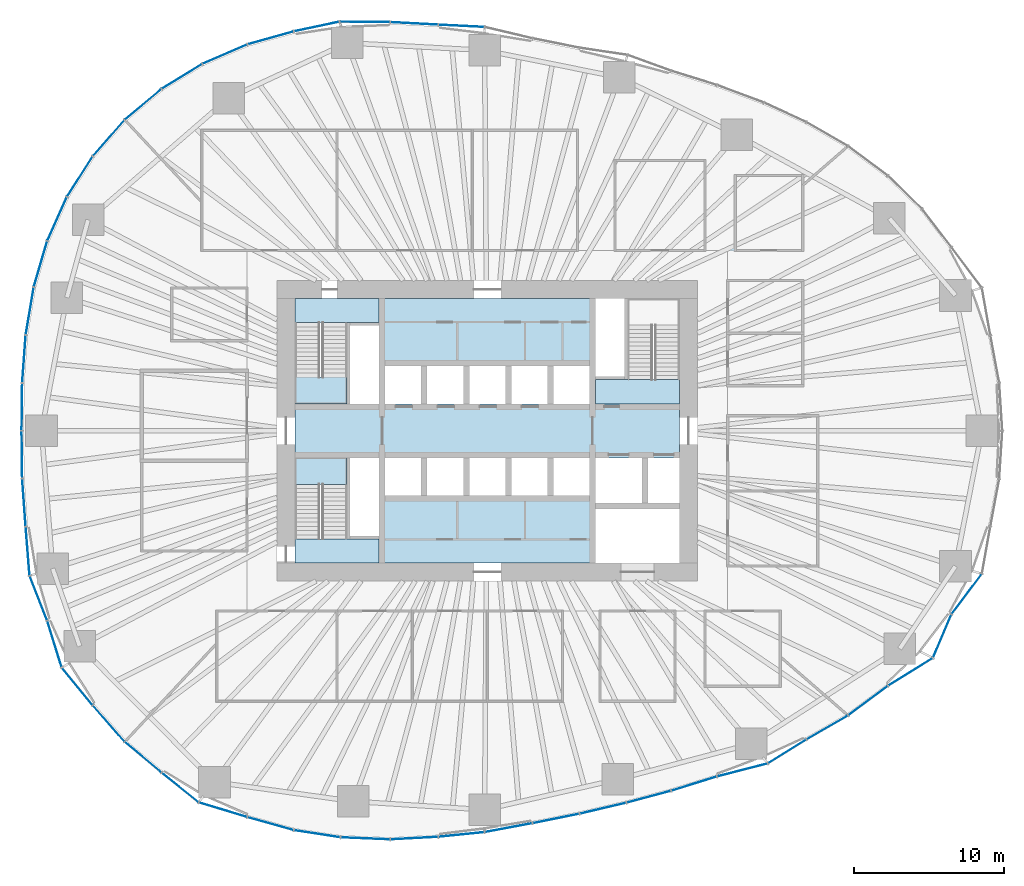
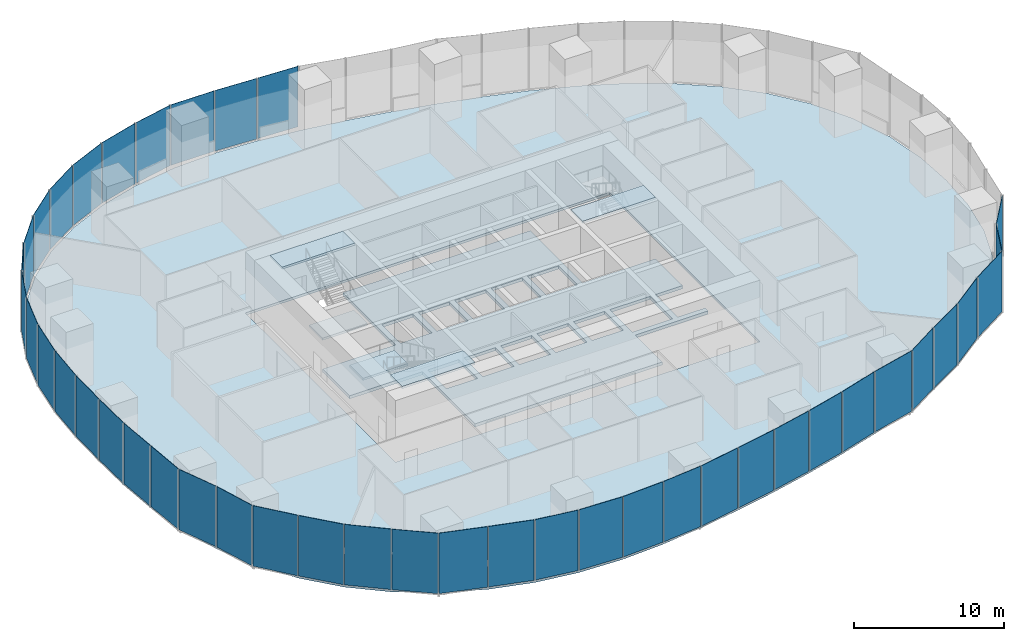
# One storey, part 8 of 20: 42 plates, 7 slabs, 17 elements without a shape of their own.
"""IFC4 building model written with IfcOpenShell, lengths in metres."""

from ifc_helpers import new_model, si_unit, direction, frame, origin, origin_2d, place, context, subcontext, project, spatial, polyline, rectangle, outline, extrude, material, layer, layer_set, type_object, element, aggregate, save


model = new_model("IFC4")

# Units and contexts
model_context = context("Model", 3, precision=1e-05, world=origin(), true_north=direction((0.0, 1.0)))
body_context = subcontext(model_context, "Body", "Model", "MODEL_VIEW")
ifc_project = project(units=[si_unit("LENGTHUNIT", "METRE"), si_unit("AREAUNIT", "SQUARE_METRE"), si_unit("VOLUMEUNIT", "CUBIC_METRE"), si_unit("PLANEANGLEUNIT", "RADIAN"), si_unit("MASSUNIT", "GRAM", prefix="KILO")], contexts=[model_context])

# Site, building, storey
site_placement = place(None, origin())
site = spatial("IfcSite", under=ifc_project, at=site_placement, CompositionType="ELEMENT")
building_placement = place(site_placement, origin())
building = spatial("IfcBuilding", under=site, at=building_placement, Name="Ghaith Harvest Tower", CompositionType="ELEMENT")
storey_placement = place(building_placement, frame((0.0, 0.0, 20.0)))
storey = spatial("IfcBuildingStorey", under=building, at=storey_placement, Name="L04", CompositionType="ELEMENT", Elevation=20.0)

# Curtain wall, plates
ifc_material_1 = material(Name="Black anodised aluminium and fritted glass", Category="aluminium")
curtain_wall_type = type_object("IfcCurtainWallType", Name="CW-F CURTAIN WALL", PredefinedType="NOTDEFINED", material=ifc_material_1)
curtain_wall_1_placement = place(storey_placement, origin())
curtain_wall_1 = element("IfcCurtainWall", 1, at=curtain_wall_1_placement, inside=storey, type_object=curtain_wall_type, Name="Curtain wall CW-F bay 06 L04", PredefinedType="NOTDEFINED")
ifc_material_2 = material(Name="Glass, high-transmission fritted double glazed unit", Category="glass")
ifc_layer_1 = layer(ifc_material_2, 0.028076171875)
ifc_layer_set_1 = layer_set([ifc_layer_1], Name="CW-F VISION PANEL")
plate_type = type_object("IfcPlateType", Name="CW-F VISION PANEL", PredefinedType="CURTAIN_PANEL", material=ifc_layer_set_1)
plate_1_placement = place(storey_placement, frame((-1.722900390625, 26.953369140625, 0.080078125), z_axis=(0.0, 0.0, 1.0), x_axis=(-0.998771443485, 0.049554048048, 0.0)))
plate_1 = element("IfcPlate", 2, at=plate_1_placement, type_object=plate_type, Name="CW-F panel 1 bay 06 L04", PredefinedType="CURTAIN_PANEL", context=body_context, shape_type="SweptSolid", body=[
    extrude(rectangle(XDim=3.001708984375, YDim=0.028076171875, at=origin_2d()), origin(), (0.0, 0.0, 1.0), 4.919921875),
])
plate_2_placement = place(storey_placement, frame((-4.863525390625, 27.11572265625, 0.080078125), z_axis=(0.0, 0.0, 1.0), x_axis=(-0.99856250263, 0.053599704667, 0.0)))
plate_2 = element("IfcPlate", 3, at=plate_2_placement, type_object=plate_type, Name="CW-F panel 2 bay 06 L04", PredefinedType="CURTAIN_PANEL", context=body_context, shape_type="SweptSolid", body=[
    extrude(rectangle(XDim=3.1279296875, YDim=0.028076171875, at=origin_2d()), origin(), (0.0, 0.0, 1.0), 4.919921875),
])
plate_3_placement = place(storey_placement, frame((-8.150390625, 27.217041015625, 0.080078125), z_axis=(0.0, 0.0, 1.0), x_axis=(-0.999959609481, 0.008987736446, 0.0)))
plate_3 = element("IfcPlate", 4, at=plate_3_placement, type_object=plate_type, Name="CW-F panel 3 bay 06 L04", PredefinedType="CURTAIN_PANEL", context=body_context, shape_type="SweptSolid", body=[
    extrude(rectangle(XDim=3.29052734375, YDim=0.028076171875, at=origin_2d()), origin(), (0.0, 0.0, 1.0), 4.919921875),
])
aggregate(curtain_wall_1, [plate_1, plate_2, plate_3])

curtain_wall_2_placement = place(storey_placement, origin())
curtain_wall_2 = element("IfcCurtainWall", 5, at=curtain_wall_2_placement, inside=storey, type_object=curtain_wall_type, Name="Curtain wall CW-F bay 07 L04", PredefinedType="NOTDEFINED")
plate_4_placement = place(storey_placement, frame((-11.358154296875, 26.908447265625, 0.080078125), z_axis=(0.0, 0.0, 1.0), x_axis=(-0.978149320779, -0.207903598476, 0.0)))
plate_4 = element("IfcPlate", 6, at=plate_4_placement, type_object=plate_type, Name="CW-F panel 1 bay 07 L04", PredefinedType="CURTAIN_PANEL", context=body_context, shape_type="SweptSolid", body=[
    extrude(rectangle(XDim=3.032958984375, YDim=0.028076171875, at=origin_2d()), origin(), (0.0, 0.0, 1.0), 4.919921875),
])
plate_5_placement = place(storey_placement, frame((-14.42578125, 26.150634765625, 0.080078125), z_axis=(0.0, 0.0, 1.0), x_axis=(-0.96272968243, -0.270465448012, 0.0)))
plate_5 = element("IfcPlate", 7, at=plate_5_placement, type_object=plate_type, Name="CW-F panel 2 bay 07 L04", PredefinedType="CURTAIN_PANEL", context=body_context, shape_type="SweptSolid", body=[
    extrude(rectangle(XDim=3.13037109375, YDim=0.028076171875, at=origin_2d()), origin(), (0.0, 0.0, 1.0), 4.919921875),
])
plate_6_placement = place(storey_placement, frame((-17.46923828125, 25.0693359375, 0.080078125), z_axis=(0.0, 0.0, 1.0), x_axis=(-0.918002845228, -0.396573796605, 0.0)))
plate_6 = element("IfcPlate", 8, at=plate_6_placement, type_object=plate_type, Name="CW-F panel 3 bay 07 L04", PredefinedType="CURTAIN_PANEL", context=body_context, shape_type="SweptSolid", body=[
    extrude(rectangle(XDim=3.18359375, YDim=0.028076171875, at=origin_2d()), origin(), (0.0, 0.0, 1.0), 4.919921875),
])
aggregate(curtain_wall_2, [plate_4, plate_5, plate_6])

curtain_wall_3_placement = place(storey_placement, origin())
curtain_wall_3 = element("IfcCurtainWall", 9, at=curtain_wall_3_placement, inside=storey, type_object=curtain_wall_type, Name="Curtain wall CW-F bay 08 L04", PredefinedType="NOTDEFINED")
plate_7_placement = place(storey_placement, frame((-20.324462890625, 23.590087890625, 0.080078125), z_axis=(0.0, 0.0, 1.0), x_axis=(-0.852527741552, -0.522681977769, 0.0)))
plate_7 = element("IfcPlate", 10, at=plate_7_placement, type_object=plate_type, Name="CW-F panel 1 bay 08 L04", PredefinedType="CURTAIN_PANEL", context=body_context, shape_type="SweptSolid", body=[
    extrude(rectangle(XDim=3.10400390625, YDim=0.028076171875, at=origin_2d()), origin(), (0.0, 0.0, 1.0), 4.919921875),
])
plate_8_placement = place(storey_placement, frame((-22.91064453125, 21.727294921875, 0.080078125), z_axis=(0.0, 0.0, 1.0), x_axis=(-0.766155215147, -0.642655573619, 0.0)))
plate_8 = element("IfcPlate", 11, at=plate_8_placement, type_object=plate_type, Name="CW-F panel 2 bay 08 L04", PredefinedType="CURTAIN_PANEL", context=body_context, shape_type="SweptSolid", body=[
    extrude(rectangle(XDim=3.1279296875, YDim=0.028076171875, at=origin_2d()), origin(), (0.0, 0.0, 1.0), 4.919921875),
])
plate_9_placement = place(storey_placement, frame((-25.201171875, 19.4853515625, 0.080078125), z_axis=(0.0, 0.0, 1.0), x_axis=(-0.659215937547, -0.751953687194, 0.0)))
plate_9 = element("IfcPlate", 12, at=plate_9_placement, type_object=plate_type, Name="CW-F panel 3 bay 08 L04", PredefinedType="CURTAIN_PANEL", context=body_context, shape_type="SweptSolid", body=[
    extrude(rectangle(XDim=3.1416015625, YDim=0.028076171875, at=origin_2d()), origin(), (0.0, 0.0, 1.0), 4.919921875),
])
aggregate(curtain_wall_3, [plate_7, plate_8, plate_9])

curtain_wall_4_placement = place(storey_placement, origin())
curtain_wall_4 = element("IfcCurtainWall", 13, at=curtain_wall_4_placement, inside=storey, type_object=curtain_wall_type, Name="Curtain wall CW-F bay 09 L04", PredefinedType="NOTDEFINED")
plate_10_placement = place(storey_placement, frame((-27.124755859375, 16.919677734375, 0.080078125), z_axis=(0.0, 0.0, 1.0), x_axis=(-0.536779195227, -0.843722759899, 0.0)))
plate_10 = element("IfcPlate", 14, at=plate_10_placement, type_object=plate_type, Name="CW-F panel 1 bay 09 L04", PredefinedType="CURTAIN_PANEL", context=body_context, shape_type="SweptSolid", body=[
    extrude(rectangle(XDim=3.13037109375, YDim=0.028076171875, at=origin_2d()), origin(), (0.0, 0.0, 1.0), 4.919921875),
])
plate_11_placement = place(storey_placement, frame((-28.639404296875, 14.100341796875, 0.080078125), z_axis=(0.0, 0.0, 1.0), x_axis=(-0.407134417018, -0.913368253488, 0.0)))
plate_11 = element("IfcPlate", 15, at=plate_11_placement, type_object=plate_type, Name="CW-F panel 2 bay 09 L04", PredefinedType="CURTAIN_PANEL", context=body_context, shape_type="SweptSolid", body=[
    extrude(rectangle(XDim=3.1279296875, YDim=0.028076171875, at=origin_2d()), origin(), (0.0, 0.0, 1.0), 4.919921875),
])
plate_12_placement = place(storey_placement, frame((-29.740478515625, 11.101318359375, 0.080078125), z_axis=(0.0, 0.0, 1.0), x_axis=(-0.280296918708, -0.959913348882, 0.0)))
plate_12 = element("IfcPlate", 16, at=plate_12_placement, type_object=plate_type, Name="CW-F panel 3 bay 09 L04", PredefinedType="CURTAIN_PANEL", context=body_context, shape_type="SweptSolid", body=[
    extrude(rectangle(XDim=3.1162109375, YDim=0.028076171875, at=origin_2d()), origin(), (0.0, 0.0, 1.0), 4.919921875),
])
aggregate(curtain_wall_4, [plate_10, plate_11, plate_12])

curtain_wall_5_placement = place(storey_placement, origin())
curtain_wall_5 = element("IfcCurtainWall", 17, at=curtain_wall_5_placement, inside=storey, type_object=curtain_wall_type, Name="Curtain wall CW-F bay 10 L04", PredefinedType="NOTDEFINED")
plate_13_placement = place(storey_placement, frame((-30.456298828125, 7.971435546875, 0.080078125), z_axis=(0.0, 0.0, 1.0), x_axis=(-0.165581316368, -0.986196140567, 0.0)))
plate_13 = element("IfcPlate", 18, at=plate_13_placement, type_object=plate_type, Name="CW-F panel 1 bay 10 L04", PredefinedType="CURTAIN_PANEL", context=body_context, shape_type="SweptSolid", body=[
    extrude(rectangle(XDim=3.156494140625, YDim=0.028076171875, at=origin_2d()), origin(), (0.0, 0.0, 1.0), 4.919921875),
])
plate_14_placement = place(storey_placement, frame((-30.84033203125, 4.77685546875, 0.080078125), z_axis=(0.0, 0.0, 1.0), x_axis=(-0.072420546123, -0.997374184797, 0.0)))
plate_14 = element("IfcPlate", 19, at=plate_14_placement, type_object=plate_type, Name="CW-F panel 2 bay 10 L04", PredefinedType="CURTAIN_PANEL", context=body_context, shape_type="SweptSolid", body=[
    extrude(rectangle(XDim=3.1259765625, YDim=0.028076171875, at=origin_2d()), origin(), (0.0, 0.0, 1.0), 4.919921875),
])
plate_15_placement = place(storey_placement, frame((-30.975830078125, 1.589111328125, 0.080078125), z_axis=(0.0, 0.0, 1.0), x_axis=(-0.012133206476, -0.999926389941, 0.0)))
plate_15 = element("IfcPlate", 20, at=plate_15_placement, type_object=plate_type, Name="CW-F panel 3 bay 10 L04", PredefinedType="CURTAIN_PANEL", context=body_context, shape_type="SweptSolid", body=[
    extrude(rectangle(XDim=3.09814453125, YDim=0.028076171875, at=origin_2d()), origin(), (0.0, 0.0, 1.0), 4.919921875),
])
aggregate(curtain_wall_5, [plate_13, plate_14, plate_15])

curtain_wall_6_placement = place(storey_placement, origin())
curtain_wall_6 = element("IfcCurtainWall", 21, at=curtain_wall_6_placement, inside=storey, type_object=curtain_wall_type, Name="Curtain wall CW-F bay 11 L04", PredefinedType="NOTDEFINED")
plate_16_placement = place(storey_placement, frame((-30.975830078125, -1.589111328125, 0.080078125), z_axis=(0.0, 0.0, 1.0), x_axis=(0.012133206773, -0.999926389937, 0.0)))
plate_16 = element("IfcPlate", 22, at=plate_16_placement, type_object=plate_type, Name="CW-F panel 1 bay 11 L04", PredefinedType="CURTAIN_PANEL", context=body_context, shape_type="SweptSolid", body=[
    extrude(rectangle(XDim=3.09814453125, YDim=0.028076171875, at=origin_2d()), origin(), (0.0, 0.0, 1.0), 4.919921875),
])
plate_17_placement = place(storey_placement, frame((-30.84033203125, -4.77685546875, 0.080078125), z_axis=(0.0, 0.0, 1.0), x_axis=(0.072420546349, -0.99737418478, 0.0)))
plate_17 = element("IfcPlate", 23, at=plate_17_placement, type_object=plate_type, Name="CW-F panel 2 bay 11 L04", PredefinedType="CURTAIN_PANEL", context=body_context, shape_type="SweptSolid", body=[
    extrude(rectangle(XDim=3.1259765625, YDim=0.028076171875, at=origin_2d()), origin(), (0.0, 0.0, 1.0), 4.919921875),
])
plate_18_placement = place(storey_placement, frame((-30.594482421875, -8.01513671875, 0.080078125), z_axis=(0.0, 0.0, 1.0), x_axis=(0.078867084181, -0.996885140341, 0.0)))
plate_18 = element("IfcPlate", 24, at=plate_18_placement, type_object=plate_type, Name="CW-F panel 3 bay 11 L04", PredefinedType="CURTAIN_PANEL", context=body_context, shape_type="SweptSolid", body=[
    extrude(rectangle(XDim=3.209716796875, YDim=0.028076171875, at=origin_2d()), origin(), (0.0, 0.0, 1.0), 4.919921875),
])
aggregate(curtain_wall_6, [plate_16, plate_17, plate_18])

curtain_wall_7_placement = place(storey_placement, origin())
curtain_wall_7 = element("IfcCurtainWall", 25, at=curtain_wall_7_placement, inside=storey, type_object=curtain_wall_type, Name="Curtain wall CW-F bay 12 L04", PredefinedType="NOTDEFINED")
plate_19_placement = place(storey_placement, frame((-29.878662109375, -11.14501953125, 0.080078125), z_axis=(0.0, 0.0, 1.0), x_axis=(0.366039738151, -0.930599220983, 0.0)))
plate_19 = element("IfcPlate", 26, at=plate_19_placement, type_object=plate_type, Name="CW-F panel 1 bay 12 L04", PredefinedType="CURTAIN_PANEL", context=body_context, shape_type="SweptSolid", body=[
    extrude(rectangle(XDim=3.122802734375, YDim=0.028076171875, at=origin_2d()), origin(), (0.0, 0.0, 1.0), 4.919921875),
])
plate_20_placement = place(storey_placement, frame((-28.809814453125, -14.195068359375, 0.080078125), z_axis=(0.0, 0.0, 1.0), x_axis=(0.295583054454, -0.95531704576, 0.0)))
plate_20 = element("IfcPlate", 27, at=plate_20_placement, type_object=plate_type, Name="CW-F panel 2 bay 12 L04", PredefinedType="CURTAIN_PANEL", context=body_context, shape_type="SweptSolid", body=[
    extrude(rectangle(XDim=3.185546875, YDim=0.028076171875, at=origin_2d()), origin(), (0.0, 0.0, 1.0), 4.919921875),
])
plate_21_placement = place(storey_placement, frame((-27.295166015625, -17.014404296875, 0.080078125), z_axis=(0.0, 0.0, 1.0), x_axis=(0.633789860881, -0.773505276158, 0.0)))
plate_21 = element("IfcPlate", 28, at=plate_21_placement, type_object=plate_type, Name="CW-F panel 3 bay 12 L04", PredefinedType="CURTAIN_PANEL", context=body_context, shape_type="SweptSolid", body=[
    extrude(rectangle(XDim=3.1767578125, YDim=0.028076171875, at=origin_2d()), origin(), (0.0, 0.0, 1.0), 4.919921875),
])
aggregate(curtain_wall_7, [plate_19, plate_20, plate_21])

curtain_wall_8_placement = place(storey_placement, origin())
curtain_wall_8 = element("IfcCurtainWall", 29, at=curtain_wall_8_placement, inside=storey, type_object=curtain_wall_type, Name="Curtain wall CW-F bay 13 L04", PredefinedType="NOTDEFINED")
plate_22_placement = place(storey_placement, frame((-25.201171875, -19.4853515625, 0.080078125), z_axis=(0.0, 0.0, 1.0), x_axis=(0.659215937337, -0.751953687378, 0.0)))
plate_22 = element("IfcPlate", 30, at=plate_22_placement, type_object=plate_type, Name="CW-F panel 1 bay 13 L04", PredefinedType="CURTAIN_PANEL", context=body_context, shape_type="SweptSolid", body=[
    extrude(rectangle(XDim=3.1416015625, YDim=0.028076171875, at=origin_2d()), origin(), (0.0, 0.0, 1.0), 4.919921875),
])
plate_23_placement = place(storey_placement, frame((-22.91064453125, -21.727294921875, 0.080078125), z_axis=(0.0, 0.0, 1.0), x_axis=(0.76615521545, -0.642655573258, 0.0)))
plate_23 = element("IfcPlate", 31, at=plate_23_placement, type_object=plate_type, Name="CW-F panel 2 bay 13 L04", PredefinedType="CURTAIN_PANEL", context=body_context, shape_type="SweptSolid", body=[
    extrude(rectangle(XDim=3.1279296875, YDim=0.028076171875, at=origin_2d()), origin(), (0.0, 0.0, 1.0), 4.919921875),
])
plate_24_placement = place(storey_placement, frame((-20.447265625, -23.748046875, 0.080078125), z_axis=(0.0, 0.0, 1.0), x_axis=(0.780122054158, -0.625627349639, 0.0)))
plate_24 = element("IfcPlate", 32, at=plate_24_placement, type_object=plate_type, Name="CW-F panel 3 bay 13 L04", PredefinedType="CURTAIN_PANEL", context=body_context, shape_type="SweptSolid", body=[
    extrude(rectangle(XDim=3.085205078125, YDim=0.028076171875, at=origin_2d()), origin(), (0.0, 0.0, 1.0), 4.919921875),
])
aggregate(curtain_wall_8, [plate_22, plate_23, plate_24])

curtain_wall_9_placement = place(storey_placement, origin())
curtain_wall_9 = element("IfcCurtainWall", 33, at=curtain_wall_9_placement, inside=storey, type_object=curtain_wall_type, Name="Curtain wall CW-F bay 14 L04", PredefinedType="NOTDEFINED")
plate_25_placement = place(storey_placement, frame((-17.591796875, -25.227294921875, 0.080078125), z_axis=(0.0, 0.0, 1.0), x_axis=(0.95734234218, -0.288956121011, 0.0)))
plate_25 = element("IfcPlate", 34, at=plate_25_placement, type_object=plate_type, Name="CW-F panel 1 bay 14 L04", PredefinedType="CURTAIN_PANEL", context=body_context, shape_type="SweptSolid", body=[
    extrude(rectangle(XDim=3.3056640625, YDim=0.028076171875, at=origin_2d()), origin(), (0.0, 0.0, 1.0), 4.919921875),
])
plate_26_placement = place(storey_placement, frame((-14.42578125, -26.150634765625, 0.080078125), z_axis=(0.0, 0.0, 1.0), x_axis=(0.962729682704, -0.270465447038, 0.0)))
plate_26 = element("IfcPlate", 35, at=plate_26_placement, type_object=plate_type, Name="CW-F panel 2 bay 14 L04", PredefinedType="CURTAIN_PANEL", context=body_context, shape_type="SweptSolid", body=[
    extrude(rectangle(XDim=3.13037109375, YDim=0.028076171875, at=origin_2d()), origin(), (0.0, 0.0, 1.0), 4.919921875),
])
plate_27_placement = place(storey_placement, frame((-11.327392578125, -26.82373046875, 0.080078125), z_axis=(0.0, 0.0, 1.0), x_axis=(0.98836987371, -0.152069039392, 0.0)))
plate_27 = element("IfcPlate", 36, at=plate_27_placement, type_object=plate_type, Name="CW-F panel 3 bay 14 L04", PredefinedType="CURTAIN_PANEL", context=body_context, shape_type="SweptSolid", body=[
    extrude(rectangle(XDim=3.0625, YDim=0.028076171875, at=origin_2d()), origin(), (0.0, 0.0, 1.0), 4.919921875),
])
aggregate(curtain_wall_9, [plate_25, plate_26, plate_27])

curtain_wall_10_placement = place(storey_placement, origin())
curtain_wall_10 = element("IfcCurtainWall", 37, at=curtain_wall_10_placement, inside=storey, type_object=curtain_wall_type, Name="Curtain wall CW-F bay 15 L04", PredefinedType="NOTDEFINED")
plate_28_placement = place(storey_placement, frame((-8.119873046875, -27.13232421875, 0.080078125), z_axis=(0.0, 0.0, 1.0), x_axis=(0.999118988518, -0.041967210794, 0.0)))
plate_28 = element("IfcPlate", 38, at=plate_28_placement, type_object=plate_type, Name="CW-F panel 1 bay 15 L04", PredefinedType="CURTAIN_PANEL", context=body_context, shape_type="SweptSolid", body=[
    extrude(rectangle(XDim=3.232177734375, YDim=0.028076171875, at=origin_2d()), origin(), (0.0, 0.0, 1.0), 4.919921875),
])
plate_29_placement = place(storey_placement, frame((-4.863525390625, -27.11572265625, 0.080078125), z_axis=(0.0, 0.0, 1.0), x_axis=(0.998562502616, 0.053599704928, 0.0)))
plate_29 = element("IfcPlate", 39, at=plate_29_placement, type_object=plate_type, Name="CW-F panel 2 bay 15 L04", PredefinedType="CURTAIN_PANEL", context=body_context, shape_type="SweptSolid", body=[
    extrude(rectangle(XDim=3.1279296875, YDim=0.028076171875, at=origin_2d()), origin(), (0.0, 0.0, 1.0), 4.919921875),
])
plate_30_placement = place(storey_placement, frame((-1.722412109375, -26.87353515625, 0.080078125), z_axis=(0.0, 0.0, 1.0), x_axis=(0.99488222177, 0.101041401443, 0.0)))
plate_30 = element("IfcPlate", 40, at=plate_30_placement, type_object=plate_type, Name="CW-F panel 3 bay 15 L04", PredefinedType="CURTAIN_PANEL", context=body_context, shape_type="SweptSolid", body=[
    extrude(rectangle(XDim=3.014892578125, YDim=0.028076171875, at=origin_2d()), origin(), (0.0, 0.0, 1.0), 4.919921875),
])
aggregate(curtain_wall_10, [plate_28, plate_29, plate_30])

curtain_wall_11_placement = place(storey_placement, origin())
curtain_wall_11 = element("IfcCurtainWall", 41, at=curtain_wall_11_placement, inside=storey, type_object=curtain_wall_type, Name="Curtain wall CW-F bay 16 L04", PredefinedType="NOTDEFINED")
plate_31_placement = place(storey_placement, frame((1.4130859375, -26.420166015625, 0.080078125), z_axis=(0.0, 0.0, 1.0), x_axis=(0.983131230266, 0.182901569365, 0.0)))
plate_31 = element("IfcPlate", 42, at=plate_31_placement, type_object=plate_type, Name="CW-F panel 1 bay 16 L04", PredefinedType="CURTAIN_PANEL", context=body_context, shape_type="SweptSolid", body=[
    extrude(rectangle(XDim=3.166748046875, YDim=0.028076171875, at=origin_2d()), origin(), (0.0, 0.0, 1.0), 4.919921875),
])
plate_32_placement = place(storey_placement, frame((4.5732421875, -25.809326171875, 0.080078125), z_axis=(0.0, 0.0, 1.0), x_axis=(0.98043234808, 0.196856320293, 0.0)))
plate_32 = element("IfcPlate", 43, at=plate_32_placement, type_object=plate_type, Name="CW-F panel 2 bay 16 L04", PredefinedType="CURTAIN_PANEL", context=body_context, shape_type="SweptSolid", body=[
    extrude(rectangle(XDim=3.1103515625, YDim=0.028076171875, at=origin_2d()), origin(), (0.0, 0.0, 1.0), 4.919921875),
])
plate_33_placement = place(storey_placement, frame((7.697265625, -25.129150390625, 0.080078125), z_axis=(0.0, 0.0, 1.0), x_axis=(0.973564757908, 0.228411169079, 0.0)))
plate_33 = element("IfcPlate", 44, at=plate_33_placement, type_object=plate_type, Name="CW-F panel 3 bay 16 L04", PredefinedType="CURTAIN_PANEL", context=body_context, shape_type="SweptSolid", body=[
    extrude(rectangle(XDim=3.125, YDim=0.028076171875, at=origin_2d()), origin(), (0.0, 0.0, 1.0), 4.919921875),
])
aggregate(curtain_wall_11, [plate_31, plate_32, plate_33])

curtain_wall_12_placement = place(storey_placement, origin())
curtain_wall_12 = element("IfcCurtainWall", 45, at=curtain_wall_12_placement, inside=storey, type_object=curtain_wall_type, Name="Curtain wall CW-F bay 17 L04", PredefinedType="NOTDEFINED")
plate_34_placement = place(storey_placement, frame((10.745849609375, -24.36376953125, 0.080078125), z_axis=(0.0, 0.0, 1.0), x_axis=(0.965848435029, 0.259107700681, 0.0)))
plate_34 = element("IfcPlate", 46, at=plate_34_placement, type_object=plate_type, Name="CW-F panel 1 bay 17 L04", PredefinedType="CURTAIN_PANEL", context=body_context, shape_type="SweptSolid", body=[
    extrude(rectangle(XDim=3.002197265625, YDim=0.028076171875, at=origin_2d()), origin(), (0.0, 0.0, 1.0), 4.919921875),
])
plate_35_placement = place(storey_placement, frame((13.760986328125, -23.490234375, 0.080078125), z_axis=(0.0, 0.0, 1.0), x_axis=(0.954988265447, 0.296643578827, 0.0)))
plate_35 = element("IfcPlate", 47, at=plate_35_placement, type_object=plate_type, Name="CW-F panel 2 bay 17 L04", PredefinedType="CURTAIN_PANEL", context=body_context, shape_type="SweptSolid", body=[
    extrude(rectangle(XDim=3.1171875, YDim=0.028076171875, at=origin_2d()), origin(), (0.0, 0.0, 1.0), 4.919921875),
])
plate_36_placement = place(storey_placement, frame((16.980712890625, -22.580322265625, 0.080078125), z_axis=(0.0, 0.0, 1.0), x_axis=(0.968451429434, 0.249202385275, 0.0)))
plate_36 = element("IfcPlate", 48, at=plate_36_placement, type_object=plate_type, Name="CW-F panel 3 bay 17 L04", PredefinedType="CURTAIN_PANEL", context=body_context, shape_type="SweptSolid", body=[
    extrude(rectangle(XDim=3.416748046875, YDim=0.028076171875, at=origin_2d()), origin(), (0.0, 0.0, 1.0), 4.919921875),
])
aggregate(curtain_wall_12, [plate_34, plate_35, plate_36])

curtain_wall_13_placement = place(storey_placement, origin())
curtain_wall_13 = element("IfcCurtainWall", 49, at=curtain_wall_13_placement, inside=storey, type_object=curtain_wall_type, Name="Curtain wall CW-F bay 18 L04", PredefinedType="NOTDEFINED")
plate_37_placement = place(storey_placement, frame((19.954833984375, -21.348876953125, 0.080078125), z_axis=(0.0, 0.0, 1.0), x_axis=(0.849360700005, 0.527812846837, 0.0)))
plate_37 = element("IfcPlate", 50, at=plate_37_placement, type_object=plate_type, Name="CW-F panel 1 bay 18 L04", PredefinedType="CURTAIN_PANEL", context=body_context, shape_type="SweptSolid", body=[
    extrude(rectangle(XDim=2.935791015625, YDim=0.028076171875, at=origin_2d()), origin(), (0.0, 0.0, 1.0), 4.919921875),
])
plate_38_placement = place(storey_placement, frame((22.626953125, -19.750244140625, 0.080078125), z_axis=(0.0, 0.0, 1.0), x_axis=(0.866159208454, 0.499768171866, 0.0)))
plate_38 = element("IfcPlate", 51, at=plate_38_placement, type_object=plate_type, Name="CW-F panel 2 bay 18 L04", PredefinedType="CURTAIN_PANEL", context=body_context, shape_type="SweptSolid", body=[
    extrude(rectangle(XDim=3.1328125, YDim=0.028076171875, at=origin_2d()), origin(), (0.0, 0.0, 1.0), 4.919921875),
])
plate_39_placement = place(storey_placement, frame((25.34619140625, -17.96142578125, 0.080078125), z_axis=(0.0, 0.0, 1.0), x_axis=(0.802866788713, 0.596158468515, 0.0)))
plate_39 = element("IfcPlate", 52, at=plate_39_placement, type_object=plate_type, Name="CW-F panel 3 bay 18 L04", PredefinedType="CURTAIN_PANEL", context=body_context, shape_type="SweptSolid", body=[
    extrude(rectangle(XDim=3.2275390625, YDim=0.028076171875, at=origin_2d()), origin(), (0.0, 0.0, 1.0), 4.919921875),
])
aggregate(curtain_wall_13, [plate_37, plate_38, plate_39])

curtain_wall_14_placement = place(storey_placement, origin())
curtain_wall_14 = element("IfcCurtainWall", 53, at=curtain_wall_14_placement, inside=storey, type_object=curtain_wall_type, Name="Curtain wall CW-F bay 19 L04", PredefinedType="NOTDEFINED")
plate_40_placement = place(storey_placement, frame((28.166748046875, -16.05126953125, 0.080078125), z_axis=(0.0, 0.0, 1.0), x_axis=(0.850245604669, 0.526386181184, 0.0)))
plate_40 = element("IfcPlate", 54, at=plate_40_placement, type_object=plate_type, Name="CW-F panel 1 bay 19 L04", PredefinedType="CURTAIN_PANEL", context=body_context, shape_type="SweptSolid", body=[
    extrude(rectangle(XDim=3.431884765625, YDim=0.028076171875, at=origin_2d()), origin(), (0.0, 0.0, 1.0), 4.919921875),
])
plate_41_placement = place(storey_placement, frame((30.2783203125, -13.6708984375, 0.080078125), z_axis=(0.0, 0.0, 1.0), x_axis=(0.390980294296, 0.920399049039, 0.0)))
plate_41 = element("IfcPlate", 55, at=plate_41_placement, type_object=plate_type, Name="CW-F panel 2 bay 19 L04", PredefinedType="CURTAIN_PANEL", context=body_context, shape_type="SweptSolid", body=[
    extrude(rectangle(XDim=3.083740234375, YDim=0.028076171875, at=origin_2d()), origin(), (0.0, 0.0, 1.0), 4.919921875),
])
plate_42_placement = place(storey_placement, frame((31.91015625, -10.865234375, 0.080078125), z_axis=(0.0, 0.0, 1.0), x_axis=(0.600454091429, 0.799659229976, 0.0)))
plate_42 = element("IfcPlate", 56, at=plate_42_placement, type_object=plate_type, Name="CW-F panel 3 bay 19 L04", PredefinedType="CURTAIN_PANEL", context=body_context, shape_type="SweptSolid", body=[
    extrude(rectangle(XDim=3.295654296875, YDim=0.028076171875, at=origin_2d()), origin(), (0.0, 0.0, 1.0), 4.919921875),
])
aggregate(curtain_wall_14, [plate_40, plate_41, plate_42])

# Slabs
ifc_material_3 = material(Name="Concrete C40/50", Category="concrete")
ifc_layer_2 = layer(ifc_material_3, 0.199951171875)
ifc_layer_set_2 = layer_set([ifc_layer_2], Name="FLOOR SLAB 200")
slab_type_1 = type_object("IfcSlabType", Name="FLOOR SLAB 200", PredefinedType="FLOOR", material=ifc_layer_set_2)
slab_1_placement = place(storey_placement, frame((0.0, 0.0, -0.199951171875)))
element("IfcSlab", 57, at=slab_1_placement, inside=storey, type_object=slab_type_1, Name="Floor slab L04", PredefinedType="FLOOR", context=body_context, shape_type="SweptSolid", body=[
    extrude(outline(polyline([(34.125, 0.0), (33.95849609375, 3.194091796875), (33.37158203125, 6.333984375), (32.318359375, 9.3408203125), (30.78515625, 12.1708984375), (28.840087890625, 14.708984375), (26.572509765625, 16.9111328125), (23.92431640625, 18.873046875), (21.149169921875, 20.469482421875), (18.34521484375, 21.7548828125), (15.22119140625, 22.916259765625), (12.1796875, 23.857666015625), (9.21533203125, 24.65087890625), (6.10888671875, 25.378662109375), (2.99560546875, 26.004150390625), (-0.181396484375, 26.527099609375), (-3.24755859375, 26.91064453125), (-6.4375, 27.0849609375), (-9.733642578125, 26.949951171875), (-12.828125, 26.476806640625), (-15.907958984375, 25.614501953125), (-18.8935546875, 24.32763671875), (-21.59912109375, 22.671142578125), (-24.04833984375, 20.618408203125), (-26.16455078125, 18.20556640625), (-27.881591796875, 15.507080078125), (-29.182373046875, 12.587890625), (-30.073974609375, 9.531005859375), (-30.606689453125, 6.35107421875), (-30.837158203125, 3.165771484375), (-30.875, 0.0), (-30.837158203125, -3.165771484375), (-30.606689453125, -6.35107421875), (-30.073974609375, -9.531005859375), (-29.182373046875, -12.587890625), (-27.881591796875, -15.507080078125), (-26.16455078125, -18.20556640625), (-24.04833984375, -20.618408203125), (-21.59912109375, -22.671142578125), (-18.8935546875, -24.32763671875), (-15.907958984375, -25.614501953125), (-12.828125, -26.476806640625), (-9.733642578125, -26.949951171875), (-6.4375, -27.0849609375), (-3.24755859375, -26.91064453125), (-0.181396484375, -26.527099609375), (2.99560546875, -26.004150390625), (6.10888671875, -25.378662109375), (9.21533203125, -24.65087890625), (12.1796875, -23.857666015625), (15.22119140625, -22.916259765625), (18.34521484375, -21.7548828125), (21.149169921875, -20.469482421875), (23.92431640625, -18.873046875), (26.572509765625, -16.9111328125), (28.840087890625, -14.708984375), (30.78515625, -12.1708984375), (32.318359375, -9.3408203125), (33.37158203125, -6.333984375), (33.95849609375, -3.194091796875), (34.125, 0.0)]), holes=[polyline([(-14.0, -10.0), (14.0, -10.0), (14.0, 10.0), (-14.0, 10.0), (-14.0, -10.0)])]), origin(), (0.0, 0.0, 1.0), 0.199951171875),
])
ifc_material_4 = material(Name="Concrete C40/50", Category="concrete")
ifc_layer_3 = layer(ifc_material_4, 0.25)
ifc_layer_set_3 = layer_set([ifc_layer_3], Name="FLOOR SLAB 250")
slab_type_2 = type_object("IfcSlabType", Name="FLOOR SLAB 250", PredefinedType="FLOOR", material=ifc_layer_set_3)
slab_2_placement = place(storey_placement, frame((0.0, 0.0, -0.25)))
element("IfcSlab", 58, at=slab_2_placement, inside=storey, type_object=slab_type_2, Name="Core slab L04", PredefinedType="FLOOR", context=body_context, shape_type="SweptSolid", body=[
    extrude(outline(polyline([(-12.800048828125, 1.800048828125), (-7.199951171875, 1.800048828125), (-7.199951171875, 8.800048828125), (7.199951171875, 8.800048828125), (7.199951171875, 1.800048828125), (12.800048828125, 1.800048828125), (12.800048828125, -1.800048828125), (10.699951171875, -1.800048828125), (10.699951171875, -4.800048828125), (12.800048828125, -4.800048828125), (12.800048828125, -5.199951171875), (7.199951171875, -5.199951171875), (7.199951171875, -8.800048828125), (-7.199951171875, -8.800048828125), (-7.199951171875, -1.800048828125), (-12.800048828125, -1.800048828125), (-12.800048828125, 1.800048828125)]), holes=[polyline([(-4.39990234375, -4.300048828125), (-4.39990234375, -1.800048828125), (-6.800048828125, -1.800048828125), (-6.800048828125, -4.300048828125), (-4.39990234375, -4.300048828125)]), polyline([(-1.60009765625, -4.300048828125), (-1.60009765625, -1.800048828125), (-4.0, -1.800048828125), (-4.0, -4.300048828125), (-1.60009765625, -4.300048828125)]), polyline([(1.199951171875, -4.300048828125), (1.199951171875, -1.800048828125), (-1.199951171875, -1.800048828125), (-1.199951171875, -4.300048828125), (1.199951171875, -4.300048828125)]), polyline([(-4.39990234375, 1.800048828125), (-4.39990234375, 4.300048828125), (-6.800048828125, 4.300048828125), (-6.800048828125, 1.800048828125), (-4.39990234375, 1.800048828125)]), polyline([(-1.60009765625, 1.800048828125), (-1.60009765625, 4.300048828125), (-4.0, 4.300048828125), (-4.0, 1.800048828125), (-1.60009765625, 1.800048828125)]), polyline([(1.199951171875, 1.800048828125), (1.199951171875, 4.300048828125), (-1.199951171875, 4.300048828125), (-1.199951171875, 1.800048828125), (1.199951171875, 1.800048828125)]), polyline([(10.300048828125, -4.800048828125), (10.300048828125, -1.800048828125), (7.199951171875, -1.800048828125), (7.199951171875, -4.800048828125), (10.300048828125, -4.800048828125)]), polyline([(4.0, -4.300048828125), (4.0, -1.800048828125), (1.60009765625, -1.800048828125), (1.60009765625, -4.300048828125), (4.0, -4.300048828125)]), polyline([(6.800048828125, -4.300048828125), (6.800048828125, -1.800048828125), (4.39990234375, -1.800048828125), (4.39990234375, -4.300048828125), (6.800048828125, -4.300048828125)]), polyline([(4.0, 1.800048828125), (4.0, 4.300048828125), (1.60009765625, 4.300048828125), (1.60009765625, 1.800048828125), (4.0, 1.800048828125)]), polyline([(6.800048828125, 1.800048828125), (6.800048828125, 4.300048828125), (4.39990234375, 4.300048828125), (4.39990234375, 1.800048828125), (6.800048828125, 1.800048828125)])]), origin(), (0.0, 0.0, 1.0), 0.25),
])

# Stair, slabs
ifc_material_5 = material(Name="Concrete C40/50, precast", Category="concrete")
stair_type = type_object("IfcStairType", Name="CORE STAIR 28R", PredefinedType="HALF_TURN_STAIR", material=ifc_material_5)
stair_1_placement = place(storey_placement, origin())
stair_1 = element("IfcStair", 59, at=stair_1_placement, inside=storey, type_object=stair_type, Name="Stair ST1 L04", PredefinedType="HALF_TURN_STAIR")
ifc_material_6 = material(Name="Concrete C40/50, precast", Category="concrete")
ifc_layer_4 = layer(ifc_material_6, 0.179931640625)
ifc_layer_set_4 = layer_set([ifc_layer_4], Name="STAIR LANDING 180")
slab_type_3 = type_object("IfcSlabType", Name="STAIR LANDING 180", PredefinedType="LANDING", material=ifc_layer_set_4)
slab_3_placement = place(storey_placement, frame((0.0, 0.0, 2.320068359375)))
slab_3 = element("IfcSlab", 60, at=slab_3_placement, type_object=slab_type_3, Name="ST1 landing 1", PredefinedType="LANDING", context=body_context, shape_type="SweptSolid", body=[
    extrude(outline(polyline([(-12.800048828125, 3.580078125), (-12.800048828125, 1.800048828125), (-9.35009765625, 1.800048828125), (-9.35009765625, 3.580078125), (-12.800048828125, 3.580078125)])), origin(), (0.0, 0.0, 1.0), 0.179931640625),
])
slab_4_placement = place(storey_placement, frame((0.0, 0.0, 4.820068359375)))
slab_4 = element("IfcSlab", 61, at=slab_4_placement, type_object=slab_type_3, Name="ST1 landing 2", PredefinedType="LANDING", context=body_context, shape_type="SweptSolid", body=[
    extrude(outline(polyline([(-12.800048828125, 8.800048828125), (-12.800048828125, 7.199951171875), (-7.199951171875, 7.199951171875), (-7.199951171875, 8.800048828125), (-12.800048828125, 8.800048828125)])), origin(), (0.0, 0.0, 1.0), 0.179931640625),
])
aggregate(stair_1, [slab_3, slab_4])

stair_2_placement = place(storey_placement, origin())
stair_2 = element("IfcStair", 62, at=stair_2_placement, inside=storey, type_object=stair_type, Name="Stair ST3 L04", PredefinedType="HALF_TURN_STAIR")
slab_5_placement = place(storey_placement, frame((0.0, 0.0, 2.320068359375)))
slab_5 = element("IfcSlab", 63, at=slab_5_placement, type_object=slab_type_3, Name="ST3 landing 1", PredefinedType="LANDING", context=body_context, shape_type="SweptSolid", body=[
    extrude(outline(polyline([(-12.800048828125, -3.580078125), (-12.800048828125, -1.800048828125), (-9.35009765625, -1.800048828125), (-9.35009765625, -3.580078125), (-12.800048828125, -3.580078125)])), origin(), (0.0, 0.0, 1.0), 0.179931640625),
])
slab_6_placement = place(storey_placement, frame((0.0, 0.0, 4.820068359375)))
slab_6 = element("IfcSlab", 64, at=slab_6_placement, type_object=slab_type_3, Name="ST3 landing 2", PredefinedType="LANDING", context=body_context, shape_type="SweptSolid", body=[
    extrude(outline(polyline([(-12.800048828125, -8.800048828125), (-12.800048828125, -7.199951171875), (-7.199951171875, -7.199951171875), (-7.199951171875, -8.800048828125), (-12.800048828125, -8.800048828125)])), origin(), (0.0, 0.0, 1.0), 0.179931640625),
])
aggregate(stair_2, [slab_5, slab_6])

# Stair, slab
stair_3_placement = place(storey_placement, origin())
stair_3 = element("IfcStair", 65, at=stair_3_placement, inside=storey, type_object=stair_type, Name="Stair ST2 L04", PredefinedType="HALF_TURN_STAIR")
slab_7_placement = place(storey_placement, frame((0.0, 0.0, 4.820068359375)))
slab_7 = element("IfcSlab", 66, at=slab_7_placement, type_object=slab_type_3, Name="ST2 landing 2", PredefinedType="LANDING", context=body_context, shape_type="SweptSolid", body=[
    extrude(outline(polyline([(12.800048828125, 1.800048828125), (12.800048828125, 3.39990234375), (7.199951171875, 3.39990234375), (7.199951171875, 1.800048828125), (12.800048828125, 1.800048828125)])), origin(), (0.0, 0.0, 1.0), 0.179931640625),
])
aggregate(stair_3, [slab_7])

save(model, "model.ifc")
